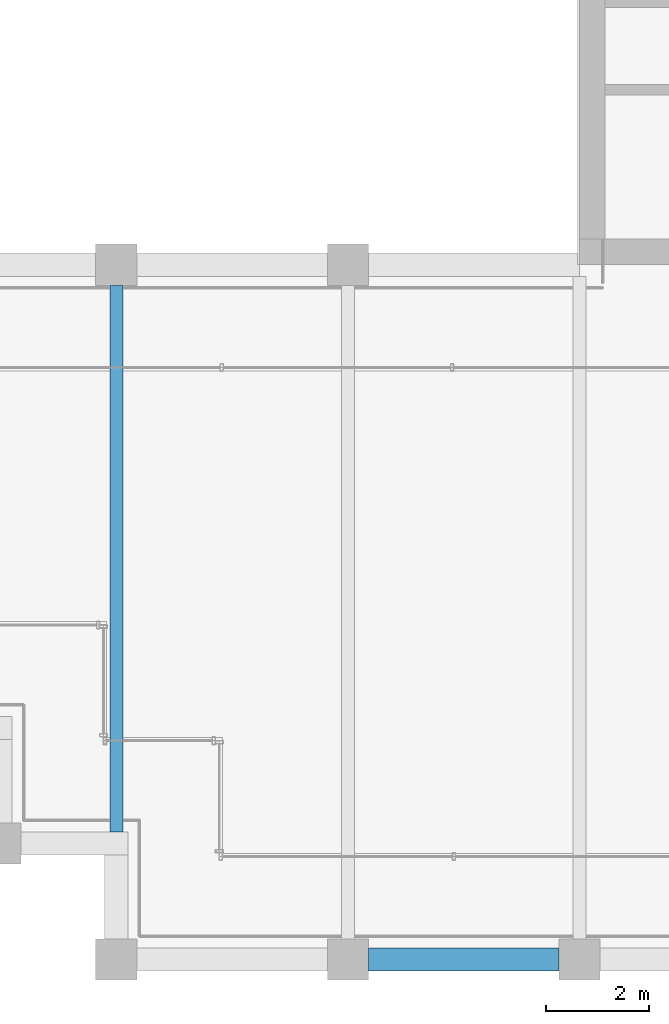
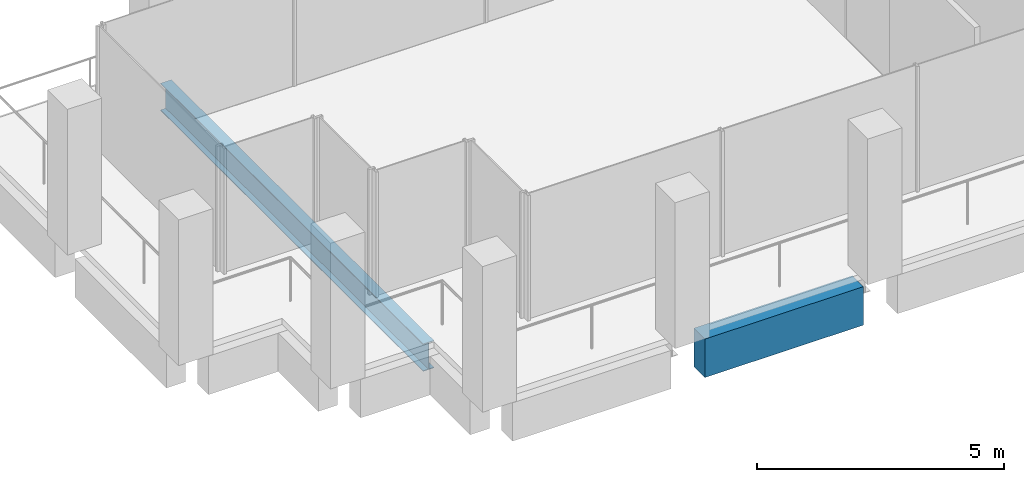
# One storey, part 4 of 62: 2 beams.
"""IFC4 building model written with IfcOpenShell, lengths in metres."""

from ifc_helpers import new_model, si_unit, direction, frame, origin, origin_2d, place, context, subcontext, project, spatial, rectangle, i_section, extrude, material, material_profile, profile_set, type_object, element, save


model = new_model("IFC4")

# Units and contexts
model_context = context("Model", 3, precision=1e-05, world=origin(), true_north=direction((0.0, 1.0)))
body_context = subcontext(model_context, "Body", "Model", "MODEL_VIEW")
ifc_project = project(units=[si_unit("LENGTHUNIT", "METRE"), si_unit("AREAUNIT", "SQUARE_METRE"), si_unit("VOLUMEUNIT", "CUBIC_METRE"), si_unit("PLANEANGLEUNIT", "RADIAN"), si_unit("MASSUNIT", "GRAM", prefix="KILO")], contexts=[model_context])

# Site, building, storey
site_placement = place(None, origin())
site = spatial("IfcSite", under=ifc_project, at=site_placement, CompositionType="ELEMENT")
building_placement = place(site_placement, origin())
building = spatial("IfcBuilding", under=site, at=building_placement, Name="Altepetl Exchange Towers", CompositionType="ELEMENT")
storey_placement = place(building_placement, frame((0.0, 0.0, 210.0)))
storey = spatial("IfcBuildingStorey", under=building, at=storey_placement, Name="L53", CompositionType="ELEMENT", Elevation=210.0)

# Beams
ifc_material_1 = material(Name="Steel S355", Category="steel")
ifc_material_profile_1 = material_profile(ifc_material_1, i_section(OverallWidth=0.2529296875, OverallDepth=0.677978515625, WebThickness=0.01171875, FlangeThickness=0.016357421875, at=origin_2d()), Name="W27X84")
ifc_profile_set_1 = profile_set([ifc_material_profile_1], Name="Steel S355")
beam_type_1 = type_object("IfcBeamType", Name="Floor beam W27X84", PredefinedType="BEAM", material=ifc_profile_set_1)
beam_1_placement = place(storey_placement, frame((31.5, 29.47509765625, -0.489013671875), z_axis=(0.0, 1.0, 0.0), x_axis=(-1.0, 0.0, 0.0)))
element("IfcBeam", 1, at=beam_1_placement, inside=storey, type_object=beam_type_1, Name="bm:A:L53:012", PredefinedType="BEAM", context=body_context, shape_type="SweptSolid", body=[
    extrude(i_section(OverallWidth=0.2529296875, OverallDepth=0.677978515625, WebThickness=0.01171875, FlangeThickness=0.016357421875, at=origin_2d()), origin(), (0.0, 0.0, 1.0), 10.625),
])
ifc_material_2 = material(Name="Concrete C50/60 precast with cantera blanca facing", Category="concrete")
ifc_material_profile_2 = material_profile(ifc_material_2, rectangle(XDim=0.449951171875, YDim=0.949951171875, at=origin_2d()), Name="450 x 950")
ifc_profile_set_2 = profile_set([ifc_material_profile_2], Name="Concrete C50/60 precast with cantera blanca facing")
beam_type_2 = type_object("IfcBeamType", Name="Spandrel beam 450x950 cantera blanca", PredefinedType="SPANDREL", material=ifc_profile_set_2)
beam_2_placement = place(storey_placement, frame((36.39990234375, 27.0, -0.625), z_axis=(1.0, 0.0, 0.0), x_axis=(0.0, 1.0, 0.0)))
element("IfcBeam", 2, at=beam_2_placement, inside=storey, type_object=beam_type_2, Name="sp:A:L53:001", PredefinedType="SPANDREL", context=body_context, shape_type="SweptSolid", body=[
    extrude(rectangle(XDim=0.449951171875, YDim=0.949951171875, at=origin_2d()), origin(), (0.0, 0.0, 1.0), 3.7001953125),
])

save(model, "model.ifc")
